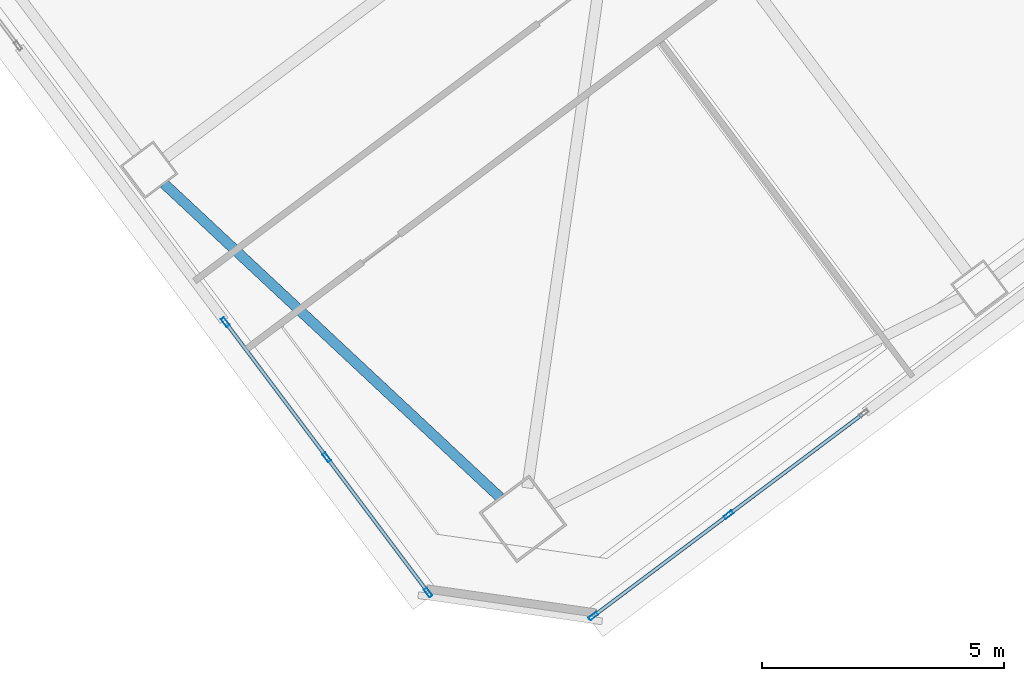
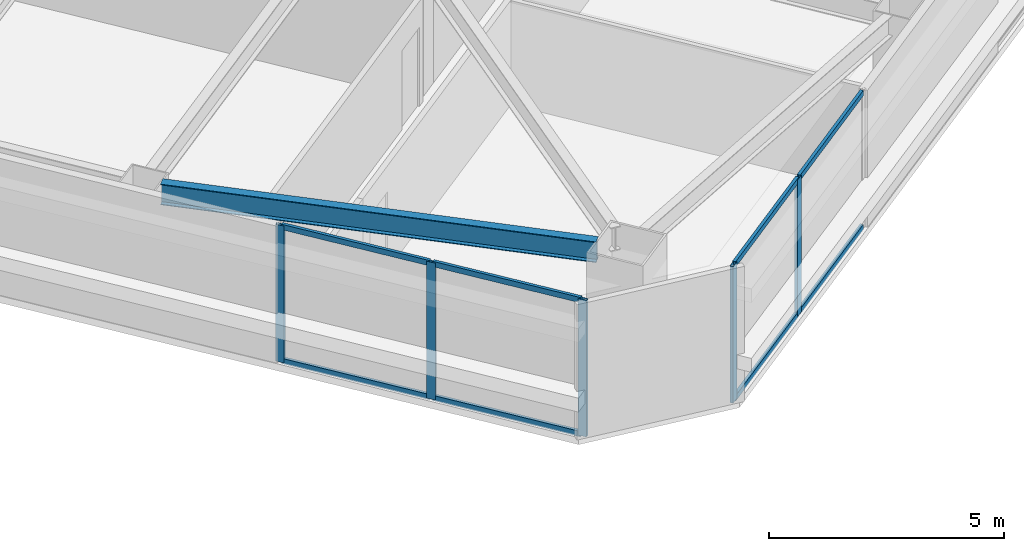
# One storey, part 18 of 44: 13 members, 1 beam, 2 elements without a shape of their own.
"""IFC4 building model written with IfcOpenShell, lengths in metres."""

from ifc_helpers import new_model, si_unit, direction, frame, origin, origin_2d, place, context, subcontext, project, spatial, hollow_rectangle, i_section, extrude, material, material_profile, profile_set, type_object, element, aggregate, save


model = new_model("IFC4")

# Units and contexts
model_context = context("Model", 3, precision=1e-05, world=origin(), true_north=direction((0.0, 1.0)))
body_context = subcontext(model_context, "Body", "Model", "MODEL_VIEW")
ifc_project = project(units=[si_unit("LENGTHUNIT", "METRE"), si_unit("AREAUNIT", "SQUARE_METRE"), si_unit("VOLUMEUNIT", "CUBIC_METRE"), si_unit("PLANEANGLEUNIT", "RADIAN"), si_unit("MASSUNIT", "GRAM", prefix="KILO")], contexts=[model_context])

# Site, building, storey
site_placement = place(None, origin())
site = spatial("IfcSite", under=ifc_project, at=site_placement, CompositionType="ELEMENT")
building_placement = place(site_placement, origin())
building = spatial("IfcBuilding", under=site, at=building_placement, Name="Tashvorn Skyway Center", CompositionType="ELEMENT")
storey_placement = place(building_placement, frame((0.0, 0.0, 128.60009765625)))
storey = spatial("IfcBuildingStorey", under=building, at=storey_placement, Name="L34", CompositionType="ELEMENT", Elevation=128.60009765625)

# Beam
ifc_material_1 = material(Name="Steel ASTM A992 Grade 50", Category="steel")
ifc_material_profile_1 = material_profile(ifc_material_1, i_section(OverallWidth=0.2109375, OverallDepth=0.5390625, WebThickness=0.01171875, FlangeThickness=0.018798828125, at=origin_2d()), Name="W21X73")
ifc_profile_set_1 = profile_set([ifc_material_profile_1], Name="Steel ASTM A992 Grade 50")
beam_type = type_object("IfcBeamType", Name="BM-SPANDREL-W21X73", PredefinedType="SPANDREL", material=ifc_profile_set_1)
beam_placement = place(storey_placement, frame((103.427001953125, 16.80322265625, 3.100341796875), z_axis=(0.730843250868, -0.682545341102, 0.0), x_axis=(0.682545341102, 0.730843250868, 0.0)))
element("IfcBeam", 1, at=beam_placement, inside=storey, type_object=beam_type, Name="Tower 2 L34 Spandrel Beam 12", PredefinedType="SPANDREL", context=body_context, shape_type="SweptSolid", body=[
    extrude(i_section(OverallWidth=0.2109375, OverallDepth=0.5390625, WebThickness=0.01171875, FlangeThickness=0.018798828125, at=origin_2d()), origin(), (0.0, 0.0, 1.0), 9.498046875),
])

# Curtain wall, members
ifc_material_2 = material(Name="Thermally broken bronze-anodized aluminium 6063-T6", Category="aluminium")
curtain_wall_type = type_object("IfcCurtainWallType", Name="CW-CW-Z3", PredefinedType="NOTDEFINED", material=ifc_material_2)
curtain_wall_1_placement = place(storey_placement, origin())
curtain_wall_1 = element("IfcCurtainWall", 2, at=curtain_wall_1_placement, inside=storey, type_object=curtain_wall_type, Name="Tower 2 L34 South Unitised Curtain Wall Glazing Group 3", PredefinedType="NOTDEFINED")
ifc_material_profile_2 = material_profile(ifc_material_2, hollow_rectangle(XDim=0.074951171875, YDim=0.199951171875, WallThickness=0.00439453125, at=origin_2d()), Name="ALU-MULL-75x200")
ifc_profile_set_2 = profile_set([ifc_material_profile_2], Name="Thermally broken bronze-anodized aluminium 6063-T6")
member_type_1 = type_object("IfcMemberType", Name="CWM-CW-Z3", PredefinedType="MULLION", material=ifc_profile_set_2)
member_1_placement = place(storey_placement, frame((115.087158203125, 9.96533203125, 0.0), z_axis=(0.0, 0.0, 1.0), x_axis=(0.600004533995, -0.799996599484, 0.0)))
member_1 = element("IfcMember", 3, at=member_1_placement, type_object=member_type_1, Name="CW-Z3 mullion 2", PredefinedType="MULLION", context=body_context, shape_type="SweptSolid", body=[
    extrude(hollow_rectangle(XDim=0.074951171875, YDim=0.199951171875, WallThickness=0.00439453125, at=origin_2d()), origin(), (0.0, 0.0, 1.0), 3.5498046875),
])
member_2_placement = place(storey_placement, frame((112.2939453125, 7.87060546875, 0.0), z_axis=(0.0, 0.0, 1.0), x_axis=(0.600004533995, -0.799996599484, 0.0)))
member_2 = element("IfcMember", 4, at=member_2_placement, type_object=member_type_1, Name="CW-Z3 mullion 3", PredefinedType="MULLION", context=body_context, shape_type="SweptSolid", body=[
    extrude(hollow_rectangle(XDim=0.074951171875, YDim=0.199951171875, WallThickness=0.00439453125, at=origin_2d()), origin(), (0.0, 0.0, 1.0), 3.5498046875),
])

curtain_wall_2_placement = place(storey_placement, origin())
curtain_wall_2 = element("IfcCurtainWall", 5, at=curtain_wall_2_placement, inside=storey, type_object=curtain_wall_type, Name="Tower 2 L34 West Unitised Curtain Wall Glazing Group 1", PredefinedType="NOTDEFINED")
member_3_placement = place(storey_placement, frame((108.881591796875, 8.35791015625, 0.0), z_axis=(0.0, 0.0, 1.0), x_axis=(-0.799996599484, -0.600004533995, 0.0)))
member_3 = element("IfcMember", 6, at=member_3_placement, type_object=member_type_1, Name="CW-Z3 mullion 1", PredefinedType="MULLION", context=body_context, shape_type="SweptSolid", body=[
    extrude(hollow_rectangle(XDim=0.074951171875, YDim=0.199951171875, WallThickness=0.00439453125, at=origin_2d()), origin(), (0.0, 0.0, 1.0), 3.5498046875),
])
member_4_placement = place(storey_placement, frame((106.78662109375, 11.151123046875, 0.0), z_axis=(0.0, 0.0, 1.0), x_axis=(-0.799996599484, -0.600004533995, 0.0)))
member_4 = element("IfcMember", 7, at=member_4_placement, type_object=member_type_1, Name="CW-Z3 mullion 2", PredefinedType="MULLION", context=body_context, shape_type="SweptSolid", body=[
    extrude(hollow_rectangle(XDim=0.074951171875, YDim=0.199951171875, WallThickness=0.00439453125, at=origin_2d()), origin(), (0.0, 0.0, 1.0), 3.5498046875),
])
member_5_placement = place(storey_placement, frame((104.69189453125, 13.944091796875, 0.0), z_axis=(0.0, 0.0, 1.0), x_axis=(-0.799996599484, -0.600004533995, 0.0)))
member_5 = element("IfcMember", 8, at=member_5_placement, type_object=member_type_1, Name="CW-Z3 mullion 3", PredefinedType="MULLION", context=body_context, shape_type="SweptSolid", body=[
    extrude(hollow_rectangle(XDim=0.074951171875, YDim=0.199951171875, WallThickness=0.00439453125, at=origin_2d()), origin(), (0.0, 0.0, 1.0), 3.5498046875),
])

# Member
ifc_material_profile_3 = material_profile(ifc_material_2, hollow_rectangle(XDim=0.074951171875, YDim=0.139892578125, WallThickness=0.004150390625, at=origin_2d()), Name="ALU-TRAN-75x140")
ifc_profile_set_3 = profile_set([ifc_material_profile_3], Name="Thermally broken bronze-anodized aluminium 6063-T6")
member_type_2 = type_object("IfcMemberType", Name="CWT-CW-Z3", PredefinedType="USERDEFINED", material=ifc_profile_set_3)
member_6_placement = place(storey_placement, frame((117.85009765625, 12.03759765625, 0.037353515625), z_axis=(-0.799982847995, -0.600022868659, 0.0), x_axis=(0.600022868659, -0.799982847995, 0.0)))
member_6 = element("IfcMember", 9, at=member_6_placement, type_object=member_type_2, Name="CW-Z3 transom 1.1", ObjectType="TRANSOM", PredefinedType="USERDEFINED", context=body_context, shape_type="SweptSolid", body=[
    extrude(hollow_rectangle(XDim=0.074951171875, YDim=0.139892578125, WallThickness=0.004150390625, at=origin_2d()), origin(), (0.0, 0.0, 1.0), 3.416259765625),
])

member_7_placement = place(storey_placement, frame((117.85009765625, 12.03759765625, 3.512451171875), z_axis=(-0.799982847995, -0.600022868659, 0.0), x_axis=(0.600022868659, -0.799982847995, 0.0)))
member_7 = element("IfcMember", 10, at=member_7_placement, type_object=member_type_2, Name="CW-Z3 transom 1.2", ObjectType="TRANSOM", PredefinedType="USERDEFINED", context=body_context, shape_type="SweptSolid", body=[
    extrude(hollow_rectangle(XDim=0.074951171875, YDim=0.139892578125, WallThickness=0.004150390625, at=origin_2d()), origin(), (0.0, 0.0, 1.0), 3.416259765625),
])

member_8_placement = place(storey_placement, frame((115.05712890625, 9.94287109375, 0.037353515625), z_axis=(-0.800008575267, -0.59998856614, 0.0), x_axis=(0.59998856614, -0.800008575267, 0.0)))
member_8 = element("IfcMember", 11, at=member_8_placement, type_object=member_type_2, Name="CW-Z3 transom 2.1", ObjectType="TRANSOM", PredefinedType="USERDEFINED", context=body_context, shape_type="SweptSolid", body=[
    extrude(hollow_rectangle(XDim=0.074951171875, YDim=0.139892578125, WallThickness=0.004150390625, at=origin_2d()), origin(), (0.0, 0.0, 1.0), 3.41650390625),
])

member_9_placement = place(storey_placement, frame((115.05712890625, 9.94287109375, 3.512451171875), z_axis=(-0.800008575267, -0.59998856614, 0.0), x_axis=(0.59998856614, -0.800008575267, 0.0)))
member_9 = element("IfcMember", 12, at=member_9_placement, type_object=member_type_2, Name="CW-Z3 transom 2.2", ObjectType="TRANSOM", PredefinedType="USERDEFINED", context=body_context, shape_type="SweptSolid", body=[
    extrude(hollow_rectangle(XDim=0.074951171875, YDim=0.139892578125, WallThickness=0.004150390625, at=origin_2d()), origin(), (0.0, 0.0, 1.0), 3.41650390625),
])

aggregate(curtain_wall_1, [member_1, member_2, member_6, member_7, member_8, member_9])

member_10_placement = place(storey_placement, frame((108.85888671875, 8.387939453125, 0.037353515625), z_axis=(-0.59998856614, 0.800008575267, 0.0), x_axis=(-0.800008575267, -0.59998856614, 0.0)))
member_10 = element("IfcMember", 13, at=member_10_placement, type_object=member_type_2, Name="CW-Z3 transom 1.1", ObjectType="TRANSOM", PredefinedType="USERDEFINED", context=body_context, shape_type="SweptSolid", body=[
    extrude(hollow_rectangle(XDim=0.074951171875, YDim=0.139892578125, WallThickness=0.004150390625, at=origin_2d()), origin(), (0.0, 0.0, 1.0), 3.41650390625),
])

member_11_placement = place(storey_placement, frame((108.85888671875, 8.387939453125, 3.512451171875), z_axis=(-0.59998856614, 0.800008575267, 0.0), x_axis=(-0.800008575267, -0.59998856614, 0.0)))
member_11 = element("IfcMember", 14, at=member_11_placement, type_object=member_type_2, Name="CW-Z3 transom 1.2", ObjectType="TRANSOM", PredefinedType="USERDEFINED", context=body_context, shape_type="SweptSolid", body=[
    extrude(hollow_rectangle(XDim=0.074951171875, YDim=0.139892578125, WallThickness=0.004150390625, at=origin_2d()), origin(), (0.0, 0.0, 1.0), 3.41650390625),
])

member_12_placement = place(storey_placement, frame((106.76416015625, 11.18115234375, 0.037353515625), z_axis=(-0.59998856614, 0.800008575267, 0.0), x_axis=(-0.800008575267, -0.59998856614, 0.0)))
member_12 = element("IfcMember", 15, at=member_12_placement, type_object=member_type_2, Name="CW-Z3 transom 2.1", ObjectType="TRANSOM", PredefinedType="USERDEFINED", context=body_context, shape_type="SweptSolid", body=[
    extrude(hollow_rectangle(XDim=0.074951171875, YDim=0.139892578125, WallThickness=0.004150390625, at=origin_2d()), origin(), (0.0, 0.0, 1.0), 3.41650390625),
])

member_13_placement = place(storey_placement, frame((106.76416015625, 11.18115234375, 3.512451171875), z_axis=(-0.59998856614, 0.800008575267, 0.0), x_axis=(-0.800008575267, -0.59998856614, 0.0)))
member_13 = element("IfcMember", 16, at=member_13_placement, type_object=member_type_2, Name="CW-Z3 transom 2.2", ObjectType="TRANSOM", PredefinedType="USERDEFINED", context=body_context, shape_type="SweptSolid", body=[
    extrude(hollow_rectangle(XDim=0.074951171875, YDim=0.139892578125, WallThickness=0.004150390625, at=origin_2d()), origin(), (0.0, 0.0, 1.0), 3.41650390625),
])

aggregate(curtain_wall_2, [member_3, member_4, member_5, member_10, member_11, member_12, member_13])

save(model, "model.ifc")
